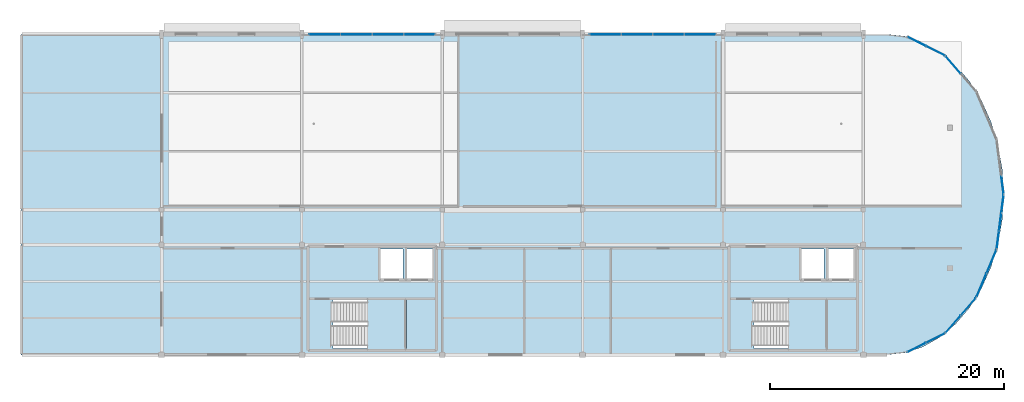
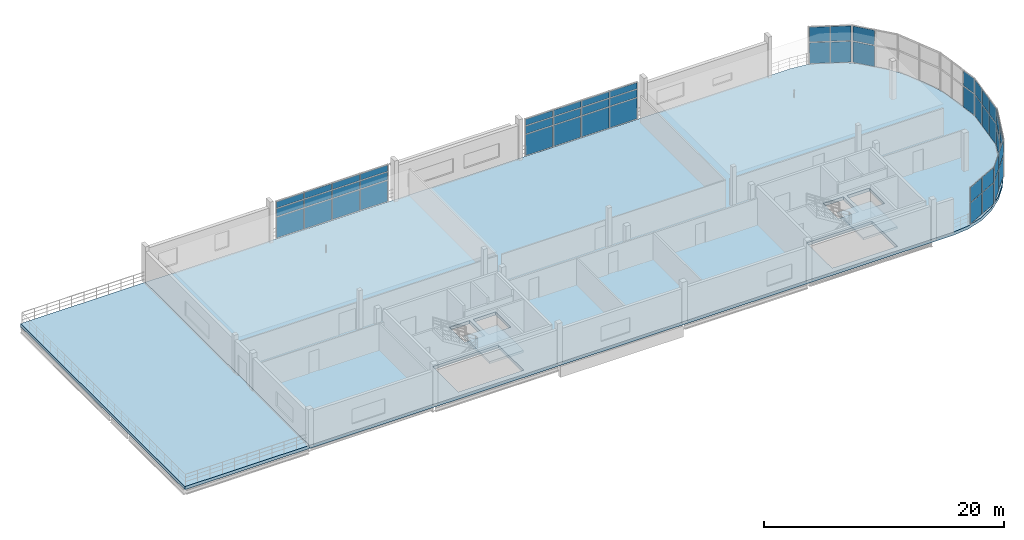
# One storey, part 6 of 13: 50 plates, 4 slabs, 11 elements without a shape of their own.
"""IFC4 building model written with IfcOpenShell, lengths in metres."""

from ifc_helpers import new_model, si_unit, direction, frame, origin, origin_2d, place, context, subcontext, project, spatial, polyline, rectangle, outline, extrude, material, layer, layer_set, type_object, element, aggregate, save


model = new_model("IFC4")

# Units and contexts
model_context = context("Model", 3, precision=1e-05, world=origin(), true_north=direction((0.0, 1.0)))
body_context = subcontext(model_context, "Body", "Model", "MODEL_VIEW")
ifc_project = project(units=[si_unit("LENGTHUNIT", "METRE"), si_unit("AREAUNIT", "SQUARE_METRE"), si_unit("VOLUMEUNIT", "CUBIC_METRE"), si_unit("PLANEANGLEUNIT", "RADIAN"), si_unit("MASSUNIT", "GRAM", prefix="KILO"), si_unit("THERMODYNAMICTEMPERATUREUNIT", "KELVIN"), si_unit("POWERUNIT", "WATT")], contexts=[model_context])

# Site, building, storey
site_placement = place(None, origin())
site = spatial("IfcSite", under=ifc_project, at=site_placement, CompositionType="ELEMENT")
building_placement = place(site_placement, origin())
building = spatial("IfcBuilding", under=site, at=building_placement, Name="Solmara Park Aquatics Centre", CompositionType="ELEMENT")
storey_placement = place(building_placement, frame((0.0, 0.0, 14.39990234375)))
storey = spatial("IfcBuildingStorey", under=building, at=storey_placement, Name="L03", CompositionType="ELEMENT", Elevation=14.39990234375)

# Curtain wall, plates
ifc_material_1 = material(Name="Anodised Aluminium Curtain Wall Framing", Category="aluminium")
curtain_wall_type_1 = type_object("IfcCurtainWallType", Name="ARC-CW-SYS06", PredefinedType="USERDEFINED", material=ifc_material_1)
curtain_wall_1_placement = place(storey_placement, origin())
curtain_wall_1 = element("IfcCurtainWall", 1, at=curtain_wall_1_placement, inside=storey, type_object=curtain_wall_type_1, Name="Curtain Wall CW-149", ObjectType="CURTAIN WALL", PredefinedType="USERDEFINED")
ifc_material_2 = material(Name="Acoustic Laminated Glazing", Category="glass")
ifc_layer_1 = layer(ifc_material_2, 0.028076171875, Name="Acoustic Laminated Glazing")
ifc_layer_set_1 = layer_set([ifc_layer_1], Name="Acoustic Laminated Glazing")
plate_type_1 = type_object("IfcPlateType", Name="ARC-CWP-GLZ28-1460x1500", PredefinedType="CURTAIN_PANEL", material=ifc_layer_set_1)
plate_1_placement = place(storey_placement, frame((108.098388671875, 118.40185546875, 2.27880859375), z_axis=(0.0, 0.0, 1.0), x_axis=(0.127658381355, 0.991818197892, 0.0)))
plate_1 = element("IfcPlate", 2, at=plate_1_placement, type_object=plate_type_1, Name="CW-149 panel 2", PredefinedType="CURTAIN_PANEL", context=body_context, shape_type="SweptSolid", body=[
    extrude(rectangle(XDim=1.468017578125, YDim=0.028076171875, at=origin_2d()), origin(), (0.0, 0.0, 1.0), 1.501220703125),
])
plate_2_placement = place(storey_placement, frame((108.2958984375, 119.9375, 2.27880859375), z_axis=(0.0, 0.0, 1.0), x_axis=(0.127658381355, 0.991818197892, 0.0)))
plate_2 = element("IfcPlate", 3, at=plate_2_placement, type_object=plate_type_1, Name="CW-149 panel 4", PredefinedType="CURTAIN_PANEL", context=body_context, shape_type="SweptSolid", body=[
    extrude(rectangle(XDim=1.468017578125, YDim=0.028076171875, at=origin_2d()), origin(), (0.0, 0.0, 1.0), 1.501220703125),
])
plate_3_placement = place(storey_placement, frame((108.493408203125, 121.47265625, 2.27880859375), z_axis=(0.0, 0.0, 1.0), x_axis=(0.127658381355, 0.991818197892, 0.0)))
plate_3 = element("IfcPlate", 4, at=plate_3_placement, type_object=plate_type_1, Name="CW-149 panel 6", PredefinedType="CURTAIN_PANEL", context=body_context, shape_type="SweptSolid", body=[
    extrude(rectangle(XDim=1.468017578125, YDim=0.028076171875, at=origin_2d()), origin(), (0.0, 0.0, 1.0), 1.501220703125),
])

# Curtain wall, plate
curtain_wall_2_placement = place(storey_placement, origin())
curtain_wall_2 = element("IfcCurtainWall", 5, at=curtain_wall_2_placement, inside=storey, type_object=curtain_wall_type_1, Name="Curtain Wall CW-150", ObjectType="CURTAIN WALL", PredefinedType="USERDEFINED")
plate_4_placement = place(storey_placement, frame((108.49853515625, 123.08740234375, 2.27880859375), z_axis=(0.0, 0.0, 1.0), x_axis=(-0.127658381355, 0.991818197892, 0.0)))
plate_4 = element("IfcPlate", 6, at=plate_4_placement, type_object=plate_type_1, Name="CW-150 panel 2", PredefinedType="CURTAIN_PANEL", context=body_context, shape_type="SweptSolid", body=[
    extrude(rectangle(XDim=1.468017578125, YDim=0.028076171875, at=origin_2d()), origin(), (0.0, 0.0, 1.0), 1.501220703125),
])

# Plate
ifc_layer_2 = layer(ifc_material_2, 0.028076171875, Name="Acoustic Laminated Glazing")
ifc_layer_set_2 = layer_set([ifc_layer_2], Name="Acoustic Laminated Glazing")
plate_type_2 = type_object("IfcPlateType", Name="ARC-CWP-GLZ28-1460x2120", PredefinedType="CURTAIN_PANEL", material=ifc_layer_set_2)
plate_5_placement = place(storey_placement, frame((108.098388671875, 118.40185546875, 0.080078125), z_axis=(0.0, 0.0, 1.0), x_axis=(0.127658381355, 0.991818197892, 0.0)))
plate_5 = element("IfcPlate", 7, at=plate_5_placement, type_object=plate_type_2, Name="CW-149 panel 1", PredefinedType="CURTAIN_PANEL", context=body_context, shape_type="SweptSolid", body=[
    extrude(rectangle(XDim=1.468017578125, YDim=0.028076171875, at=origin_2d()), origin(), (0.0, 0.0, 1.0), 2.118896484375),
])

plate_6_placement = place(storey_placement, frame((108.2958984375, 119.9375, 0.080078125), z_axis=(0.0, 0.0, 1.0), x_axis=(0.127658381355, 0.991818197892, 0.0)))
plate_6 = element("IfcPlate", 8, at=plate_6_placement, type_object=plate_type_2, Name="CW-149 panel 3", PredefinedType="CURTAIN_PANEL", context=body_context, shape_type="SweptSolid", body=[
    extrude(rectangle(XDim=1.468017578125, YDim=0.028076171875, at=origin_2d()), origin(), (0.0, 0.0, 1.0), 2.118896484375),
])

plate_7_placement = place(storey_placement, frame((108.493408203125, 121.47265625, 0.080078125), z_axis=(0.0, 0.0, 1.0), x_axis=(0.127658381355, 0.991818197892, 0.0)))
plate_7 = element("IfcPlate", 9, at=plate_7_placement, type_object=plate_type_2, Name="CW-149 panel 5", PredefinedType="CURTAIN_PANEL", context=body_context, shape_type="SweptSolid", body=[
    extrude(rectangle(XDim=1.468017578125, YDim=0.028076171875, at=origin_2d()), origin(), (0.0, 0.0, 1.0), 2.118896484375),
])

aggregate(curtain_wall_1, [plate_5, plate_1, plate_6, plate_2, plate_7, plate_3])

plate_8_placement = place(storey_placement, frame((108.49853515625, 123.08740234375, 0.080078125), z_axis=(0.0, 0.0, 1.0), x_axis=(-0.127658381355, 0.991818197892, 0.0)))
plate_8 = element("IfcPlate", 10, at=plate_8_placement, type_object=plate_type_2, Name="CW-150 panel 1", PredefinedType="CURTAIN_PANEL", context=body_context, shape_type="SweptSolid", body=[
    extrude(rectangle(XDim=1.468017578125, YDim=0.028076171875, at=origin_2d()), origin(), (0.0, 0.0, 1.0), 2.118896484375),
])

aggregate(curtain_wall_2, [plate_8, plate_4])

# Curtain wall, plates
curtain_wall_3_placement = place(storey_placement, origin())
curtain_wall_3 = element("IfcCurtainWall", 11, at=curtain_wall_3_placement, inside=storey, type_object=curtain_wall_type_1, Name="Curtain Wall CW-146", ObjectType="CURTAIN WALL", PredefinedType="USERDEFINED")
ifc_layer_3 = layer(ifc_material_2, 0.028076171875, Name="Acoustic Laminated Glazing")
ifc_layer_set_3 = layer_set([ifc_layer_3], Name="Acoustic Laminated Glazing")
plate_type_3 = type_object("IfcPlateType", Name="ARC-CWP-GLZ28-1700x1500", PredefinedType="CURTAIN_PANEL", material=ifc_layer_set_3)
plate_9_placement = place(storey_placement, frame((101.15234375, 109.215087890625, 2.27880859375), z_axis=(0.0, 0.0, 1.0), x_axis=(0.894903987807, 0.446258728326, 0.0)))
plate_9 = element("IfcPlate", 12, at=plate_9_placement, type_object=plate_type_3, Name="CW-146 panel 2", PredefinedType="CURTAIN_PANEL", context=body_context, shape_type="SweptSolid", body=[
    extrude(rectangle(XDim=1.703369140625, YDim=0.028076171875, at=origin_2d()), origin(), (0.0, 0.0, 1.0), 1.501220703125),
])
plate_10_placement = place(storey_placement, frame((102.748291015625, 110.0107421875, 2.27880859375), z_axis=(0.0, 0.0, 1.0), x_axis=(0.894903987807, 0.446258728326, 0.0)))
plate_10 = element("IfcPlate", 13, at=plate_10_placement, type_object=plate_type_3, Name="CW-146 panel 4", PredefinedType="CURTAIN_PANEL", context=body_context, shape_type="SweptSolid", body=[
    extrude(rectangle(XDim=1.703369140625, YDim=0.028076171875, at=origin_2d()), origin(), (0.0, 0.0, 1.0), 1.501220703125),
])

curtain_wall_4_placement = place(storey_placement, origin())
curtain_wall_4 = element("IfcCurtainWall", 14, at=curtain_wall_4_placement, inside=storey, type_object=curtain_wall_type_1, Name="Curtain Wall CW-153", ObjectType="CURTAIN WALL", PredefinedType="USERDEFINED")
plate_11_placement = place(storey_placement, frame((102.7841796875, 134.5712890625, 2.27880859375), z_axis=(0.0, 0.0, 1.0), x_axis=(-0.894903987807, 0.446258728326, 0.0)))
plate_11 = element("IfcPlate", 15, at=plate_11_placement, type_object=plate_type_3, Name="CW-153 panel 2", PredefinedType="CURTAIN_PANEL", context=body_context, shape_type="SweptSolid", body=[
    extrude(rectangle(XDim=1.703369140625, YDim=0.028076171875, at=origin_2d()), origin(), (0.0, 0.0, 1.0), 1.501220703125),
])
plate_12_placement = place(storey_placement, frame((101.188232421875, 135.3671875, 2.27880859375), z_axis=(0.0, 0.0, 1.0), x_axis=(-0.894903987807, 0.446258728326, 0.0)))
plate_12 = element("IfcPlate", 16, at=plate_12_placement, type_object=plate_type_3, Name="CW-153 panel 4", PredefinedType="CURTAIN_PANEL", context=body_context, shape_type="SweptSolid", body=[
    extrude(rectangle(XDim=1.703369140625, YDim=0.028076171875, at=origin_2d()), origin(), (0.0, 0.0, 1.0), 1.501220703125),
])

# Plate
ifc_layer_4 = layer(ifc_material_2, 0.028076171875, Name="Acoustic Laminated Glazing")
ifc_layer_set_4 = layer_set([ifc_layer_4], Name="Acoustic Laminated Glazing")
plate_type_4 = type_object("IfcPlateType", Name="ARC-CWP-GLZ28-1700x2120", PredefinedType="CURTAIN_PANEL", material=ifc_layer_set_4)
plate_13_placement = place(storey_placement, frame((101.15234375, 109.215087890625, 0.080078125), z_axis=(0.0, 0.0, 1.0), x_axis=(0.894903987807, 0.446258728326, 0.0)))
plate_13 = element("IfcPlate", 17, at=plate_13_placement, type_object=plate_type_4, Name="CW-146 panel 1", PredefinedType="CURTAIN_PANEL", context=body_context, shape_type="SweptSolid", body=[
    extrude(rectangle(XDim=1.703369140625, YDim=0.028076171875, at=origin_2d()), origin(), (0.0, 0.0, 1.0), 2.118896484375),
])

plate_14_placement = place(storey_placement, frame((102.748291015625, 110.0107421875, 0.080078125), z_axis=(0.0, 0.0, 1.0), x_axis=(0.894903987807, 0.446258728326, 0.0)))
plate_14 = element("IfcPlate", 18, at=plate_14_placement, type_object=plate_type_4, Name="CW-146 panel 3", PredefinedType="CURTAIN_PANEL", context=body_context, shape_type="SweptSolid", body=[
    extrude(rectangle(XDim=1.703369140625, YDim=0.028076171875, at=origin_2d()), origin(), (0.0, 0.0, 1.0), 2.118896484375),
])

aggregate(curtain_wall_3, [plate_13, plate_9, plate_14, plate_10])

plate_15_placement = place(storey_placement, frame((102.7841796875, 134.5712890625, 0.080078125), z_axis=(0.0, 0.0, 1.0), x_axis=(-0.894903987807, 0.446258728326, 0.0)))
plate_15 = element("IfcPlate", 19, at=plate_15_placement, type_object=plate_type_4, Name="CW-153 panel 1", PredefinedType="CURTAIN_PANEL", context=body_context, shape_type="SweptSolid", body=[
    extrude(rectangle(XDim=1.703369140625, YDim=0.028076171875, at=origin_2d()), origin(), (0.0, 0.0, 1.0), 2.118896484375),
])

plate_16_placement = place(storey_placement, frame((101.188232421875, 135.3671875, 0.080078125), z_axis=(0.0, 0.0, 1.0), x_axis=(-0.894903987807, 0.446258728326, 0.0)))
plate_16 = element("IfcPlate", 20, at=plate_16_placement, type_object=plate_type_4, Name="CW-153 panel 3", PredefinedType="CURTAIN_PANEL", context=body_context, shape_type="SweptSolid", body=[
    extrude(rectangle(XDim=1.703369140625, YDim=0.028076171875, at=origin_2d()), origin(), (0.0, 0.0, 1.0), 2.118896484375),
])

aggregate(curtain_wall_4, [plate_15, plate_11, plate_16, plate_12])

# Curtain wall, plates
curtain_wall_5_placement = place(storey_placement, origin())
curtain_wall_5 = element("IfcCurtainWall", 21, at=curtain_wall_5_placement, inside=storey, type_object=curtain_wall_type_1, Name="Curtain Wall CW-147", ObjectType="CURTAIN WALL", PredefinedType="USERDEFINED")
ifc_layer_5 = layer(ifc_material_2, 0.028076171875, Name="Acoustic Laminated Glazing")
ifc_layer_set_5 = layer_set([ifc_layer_5], Name="Acoustic Laminated Glazing")
plate_type_5 = type_object("IfcPlateType", Name="ARC-CWP-GLZ28-1900x1500", PredefinedType="CURTAIN_PANEL", material=ifc_layer_set_5)
plate_17_placement = place(storey_placement, frame((104.26513671875, 111.2001953125, 2.27880859375), z_axis=(0.0, 0.0, 1.0), x_axis=(0.656319798719, 0.754482817438, 0.0)))
plate_17 = element("IfcPlate", 22, at=plate_17_placement, type_object=plate_type_5, Name="CW-147 panel 2", PredefinedType="CURTAIN_PANEL", context=body_context, shape_type="SweptSolid", body=[
    extrude(rectangle(XDim=1.90673828125, YDim=0.028076171875, at=origin_2d()), origin(), (0.0, 0.0, 1.0), 1.501220703125),
])
plate_18_placement = place(storey_placement, frame((105.569091796875, 112.698974609375, 2.27880859375), z_axis=(0.0, 0.0, 1.0), x_axis=(0.656319798719, 0.754482817438, 0.0)))
plate_18 = element("IfcPlate", 23, at=plate_18_placement, type_object=plate_type_5, Name="CW-147 panel 4", PredefinedType="CURTAIN_PANEL", context=body_context, shape_type="SweptSolid", body=[
    extrude(rectangle(XDim=1.906982421875, YDim=0.028076171875, at=origin_2d()), origin(), (0.0, 0.0, 1.0), 1.501220703125),
])

# Curtain wall, plate
curtain_wall_6_placement = place(storey_placement, origin())
curtain_wall_6 = element("IfcCurtainWall", 24, at=curtain_wall_6_placement, inside=storey, type_object=curtain_wall_type_1, Name="Curtain Wall CW-152", ObjectType="CURTAIN WALL", PredefinedType="USERDEFINED")
plate_19_placement = place(storey_placement, frame((104.291259765625, 133.369873046875, 2.27880859375), z_axis=(0.0, 0.0, 1.0), x_axis=(-0.656319798719, 0.754482817438, 0.0)))
plate_19 = element("IfcPlate", 25, at=plate_19_placement, type_object=plate_type_5, Name="CW-152 panel 4", PredefinedType="CURTAIN_PANEL", context=body_context, shape_type="SweptSolid", body=[
    extrude(rectangle(XDim=1.906982421875, YDim=0.028076171875, at=origin_2d()), origin(), (0.0, 0.0, 1.0), 1.501220703125),
])

# Plate
ifc_layer_6 = layer(ifc_material_2, 0.028076171875, Name="Acoustic Laminated Glazing")
ifc_layer_set_6 = layer_set([ifc_layer_6], Name="Acoustic Laminated Glazing")
plate_type_6 = type_object("IfcPlateType", Name="ARC-CWP-GLZ28-1900x2120", PredefinedType="CURTAIN_PANEL", material=ifc_layer_set_6)
plate_20_placement = place(storey_placement, frame((104.26513671875, 111.2001953125, 0.080078125), z_axis=(0.0, 0.0, 1.0), x_axis=(0.656319798719, 0.754482817438, 0.0)))
plate_20 = element("IfcPlate", 26, at=plate_20_placement, type_object=plate_type_6, Name="CW-147 panel 1", PredefinedType="CURTAIN_PANEL", context=body_context, shape_type="SweptSolid", body=[
    extrude(rectangle(XDim=1.90673828125, YDim=0.028076171875, at=origin_2d()), origin(), (0.0, 0.0, 1.0), 2.118896484375),
])

plate_21_placement = place(storey_placement, frame((105.569091796875, 112.698974609375, 0.080078125), z_axis=(0.0, 0.0, 1.0), x_axis=(0.656319798719, 0.754482817438, 0.0)))
plate_21 = element("IfcPlate", 27, at=plate_21_placement, type_object=plate_type_6, Name="CW-147 panel 3", PredefinedType="CURTAIN_PANEL", context=body_context, shape_type="SweptSolid", body=[
    extrude(rectangle(XDim=1.906982421875, YDim=0.028076171875, at=origin_2d()), origin(), (0.0, 0.0, 1.0), 2.118896484375),
])

aggregate(curtain_wall_5, [plate_20, plate_17, plate_21, plate_18])

plate_22_placement = place(storey_placement, frame((104.291259765625, 133.369873046875, 0.080078125), z_axis=(0.0, 0.0, 1.0), x_axis=(-0.656319798719, 0.754482817438, 0.0)))
plate_22 = element("IfcPlate", 28, at=plate_22_placement, type_object=plate_type_6, Name="CW-152 panel 3", PredefinedType="CURTAIN_PANEL", context=body_context, shape_type="SweptSolid", body=[
    extrude(rectangle(XDim=1.906982421875, YDim=0.028076171875, at=origin_2d()), origin(), (0.0, 0.0, 1.0), 2.118896484375),
])

aggregate(curtain_wall_6, [plate_22, plate_19])

# Curtain wall, plates
curtain_wall_7_placement = place(storey_placement, origin())
curtain_wall_7 = element("IfcCurtainWall", 29, at=curtain_wall_7_placement, inside=storey, type_object=curtain_wall_type_1, Name="Curtain Wall CW-148", ObjectType="CURTAIN WALL", PredefinedType="USERDEFINED")
ifc_layer_7 = layer(ifc_material_2, 0.028076171875, Name="Acoustic Laminated Glazing")
ifc_layer_set_7 = layer_set([ifc_layer_7], Name="Acoustic Laminated Glazing")
plate_type_7 = type_object("IfcPlateType", Name="ARC-CWP-GLZ28-2120x1500", PredefinedType="CURTAIN_PANEL", material=ifc_layer_set_7)
plate_23_placement = place(storey_placement, frame((106.694580078125, 114.52392578125, 2.27880859375), z_axis=(0.0, 0.0, 1.0), x_axis=(0.388352083199, 0.921511073984, 0.0)))
plate_23 = element("IfcPlate", 30, at=plate_23_placement, type_object=plate_type_7, Name="CW-148 panel 2", PredefinedType="CURTAIN_PANEL", context=body_context, shape_type="SweptSolid", body=[
    extrude(rectangle(XDim=2.11572265625, YDim=0.028076171875, at=origin_2d()), origin(), (0.0, 0.0, 1.0), 1.501220703125),
])
plate_24_placement = place(storey_placement, frame((107.547119140625, 116.54736328125, 2.27880859375), z_axis=(0.0, 0.0, 1.0), x_axis=(0.388352083199, 0.921511073984, 0.0)))
plate_24 = element("IfcPlate", 31, at=plate_24_placement, type_object=plate_type_7, Name="CW-148 panel 4", PredefinedType="CURTAIN_PANEL", context=body_context, shape_type="SweptSolid", body=[
    extrude(rectangle(XDim=2.11572265625, YDim=0.028076171875, at=origin_2d()), origin(), (0.0, 0.0, 1.0), 1.501220703125),
])
ifc_layer_8 = layer(ifc_material_2, 0.028076171875, Name="Acoustic Laminated Glazing")
ifc_layer_set_8 = layer_set([ifc_layer_8], Name="Acoustic Laminated Glazing")
plate_type_8 = type_object("IfcPlateType", Name="ARC-CWP-GLZ28-2120x2120", PredefinedType="CURTAIN_PANEL", material=ifc_layer_set_8)
plate_25_placement = place(storey_placement, frame((106.694580078125, 114.52392578125, 0.080078125), z_axis=(0.0, 0.0, 1.0), x_axis=(0.388352083199, 0.921511073984, 0.0)))
plate_25 = element("IfcPlate", 32, at=plate_25_placement, type_object=plate_type_8, Name="CW-148 panel 1", PredefinedType="CURTAIN_PANEL", context=body_context, shape_type="SweptSolid", body=[
    extrude(rectangle(XDim=2.11572265625, YDim=0.028076171875, at=origin_2d()), origin(), (0.0, 0.0, 1.0), 2.118896484375),
])
plate_26_placement = place(storey_placement, frame((107.547119140625, 116.54736328125, 0.080078125), z_axis=(0.0, 0.0, 1.0), x_axis=(0.388352083199, 0.921511073984, 0.0)))
plate_26 = element("IfcPlate", 33, at=plate_26_placement, type_object=plate_type_8, Name="CW-148 panel 3", PredefinedType="CURTAIN_PANEL", context=body_context, shape_type="SweptSolid", body=[
    extrude(rectangle(XDim=2.11572265625, YDim=0.028076171875, at=origin_2d()), origin(), (0.0, 0.0, 1.0), 2.118896484375),
])
aggregate(curtain_wall_7, [plate_25, plate_23, plate_26, plate_24])

curtain_wall_type_2 = type_object("IfcCurtainWallType", Name="ARC-CW-SYS04", PredefinedType="USERDEFINED", material=ifc_material_1)
curtain_wall_8_placement = place(storey_placement, origin())
curtain_wall_8 = element("IfcCurtainWall", 34, at=curtain_wall_8_placement, inside=storey, type_object=curtain_wall_type_2, Name="Curtain Wall CW-130", ObjectType="CURTAIN WALL", PredefinedType="USERDEFINED")
ifc_material_3 = material(Name="Double Low-E Solar-Control Glazing", Category="glass")
ifc_layer_9 = layer(ifc_material_3, 0.035888671875, Name="Double Low-E Solar-Control Glazing")
ifc_layer_set_9 = layer_set([ifc_layer_9], Name="Double Low-E Solar-Control Glazing")
plate_type_9 = type_object("IfcPlateType", Name="ARC-CWP-GLZ36-2620x2120", PredefinedType="CURTAIN_PANEL", material=ifc_layer_set_9)
plate_27_placement = place(storey_placement, frame((50.530029296875, 136.0, 0.080078125), z_axis=(0.0, 0.0, 1.0), x_axis=(1.0, 0.0, 0.0)))
plate_27 = element("IfcPlate", 35, at=plate_27_placement, type_object=plate_type_9, Name="CW-130 panel 1", PredefinedType="CURTAIN_PANEL", context=body_context, shape_type="SweptSolid", body=[
    extrude(rectangle(XDim=2.6201171875, YDim=0.035888671875, at=origin_2d()), origin(), (0.0, 0.0, 1.0), 2.113037109375),
])
plate_28_placement = place(storey_placement, frame((53.22998046875, 136.0, 0.080078125), z_axis=(0.0, 0.0, 1.0), x_axis=(1.0, 0.0, 0.0)))
plate_28 = element("IfcPlate", 36, at=plate_28_placement, type_object=plate_type_9, Name="CW-130 panel 4", PredefinedType="CURTAIN_PANEL", context=body_context, shape_type="SweptSolid", body=[
    extrude(rectangle(XDim=2.6201171875, YDim=0.035888671875, at=origin_2d()), origin(), (0.0, 0.0, 1.0), 2.113037109375),
])
plate_29_placement = place(storey_placement, frame((55.929931640625, 136.0, 0.080078125), z_axis=(0.0, 0.0, 1.0), x_axis=(1.0, 0.0, 0.0)))
plate_29 = element("IfcPlate", 37, at=plate_29_placement, type_object=plate_type_9, Name="CW-130 panel 7", PredefinedType="CURTAIN_PANEL", context=body_context, shape_type="SweptSolid", body=[
    extrude(rectangle(XDim=2.6201171875, YDim=0.035888671875, at=origin_2d()), origin(), (0.0, 0.0, 1.0), 2.113037109375),
])
plate_30_placement = place(storey_placement, frame((58.6298828125, 136.0, 0.080078125), z_axis=(0.0, 0.0, 1.0), x_axis=(1.0, 0.0, 0.0)))
plate_30 = element("IfcPlate", 38, at=plate_30_placement, type_object=plate_type_9, Name="CW-130 panel 10", PredefinedType="CURTAIN_PANEL", context=body_context, shape_type="SweptSolid", body=[
    extrude(rectangle(XDim=2.6201171875, YDim=0.035888671875, at=origin_2d()), origin(), (0.0, 0.0, 1.0), 2.113037109375),
])

curtain_wall_9_placement = place(storey_placement, origin())
curtain_wall_9 = element("IfcCurtainWall", 39, at=curtain_wall_9_placement, inside=storey, type_object=curtain_wall_type_2, Name="Curtain Wall CW-131", ObjectType="CURTAIN WALL", PredefinedType="USERDEFINED")
plate_31_placement = place(storey_placement, frame((74.530029296875, 136.0, 0.080078125), z_axis=(0.0, 0.0, 1.0), x_axis=(1.0, 0.0, 0.0)))
plate_31 = element("IfcPlate", 40, at=plate_31_placement, type_object=plate_type_9, Name="CW-131 panel 1", PredefinedType="CURTAIN_PANEL", context=body_context, shape_type="SweptSolid", body=[
    extrude(rectangle(XDim=2.6201171875, YDim=0.035888671875, at=origin_2d()), origin(), (0.0, 0.0, 1.0), 2.113037109375),
])
plate_32_placement = place(storey_placement, frame((77.22998046875, 136.0, 0.080078125), z_axis=(0.0, 0.0, 1.0), x_axis=(1.0, 0.0, 0.0)))
plate_32 = element("IfcPlate", 41, at=plate_32_placement, type_object=plate_type_9, Name="CW-131 panel 4", PredefinedType="CURTAIN_PANEL", context=body_context, shape_type="SweptSolid", body=[
    extrude(rectangle(XDim=2.6201171875, YDim=0.035888671875, at=origin_2d()), origin(), (0.0, 0.0, 1.0), 2.113037109375),
])
plate_33_placement = place(storey_placement, frame((79.929931640625, 136.0, 0.080078125), z_axis=(0.0, 0.0, 1.0), x_axis=(1.0, 0.0, 0.0)))
plate_33 = element("IfcPlate", 42, at=plate_33_placement, type_object=plate_type_9, Name="CW-131 panel 7", PredefinedType="CURTAIN_PANEL", context=body_context, shape_type="SweptSolid", body=[
    extrude(rectangle(XDim=2.6201171875, YDim=0.035888671875, at=origin_2d()), origin(), (0.0, 0.0, 1.0), 2.113037109375),
])
plate_34_placement = place(storey_placement, frame((82.6298828125, 136.0, 0.080078125), z_axis=(0.0, 0.0, 1.0), x_axis=(1.0, 0.0, 0.0)))
plate_34 = element("IfcPlate", 43, at=plate_34_placement, type_object=plate_type_9, Name="CW-131 panel 10", PredefinedType="CURTAIN_PANEL", context=body_context, shape_type="SweptSolid", body=[
    extrude(rectangle(XDim=2.6201171875, YDim=0.035888671875, at=origin_2d()), origin(), (0.0, 0.0, 1.0), 2.113037109375),
])

# Plate
ifc_layer_10 = layer(ifc_material_3, 0.035888671875, Name="Double Low-E Solar-Control Glazing")
ifc_layer_set_10 = layer_set([ifc_layer_10], Name="Double Low-E Solar-Control Glazing")
plate_type_10 = type_object("IfcPlateType", Name="ARC-CWP-GLZ36-2620x780", PredefinedType="CURTAIN_PANEL", material=ifc_layer_set_10)
plate_35_placement = place(storey_placement, frame((50.530029296875, 136.0, 2.27294921875), z_axis=(0.0, 0.0, 1.0), x_axis=(1.0, 0.0, 0.0)))
plate_35 = element("IfcPlate", 44, at=plate_35_placement, type_object=plate_type_10, Name="CW-130 panel 2", PredefinedType="CURTAIN_PANEL", context=body_context, shape_type="SweptSolid", body=[
    extrude(rectangle(XDim=2.6201171875, YDim=0.035888671875, at=origin_2d()), origin(), (0.0, 0.0, 1.0), 0.787109375),
])

plate_36_placement = place(storey_placement, frame((53.22998046875, 136.0, 2.27294921875), z_axis=(0.0, 0.0, 1.0), x_axis=(1.0, 0.0, 0.0)))
plate_36 = element("IfcPlate", 45, at=plate_36_placement, type_object=plate_type_10, Name="CW-130 panel 5", PredefinedType="CURTAIN_PANEL", context=body_context, shape_type="SweptSolid", body=[
    extrude(rectangle(XDim=2.6201171875, YDim=0.035888671875, at=origin_2d()), origin(), (0.0, 0.0, 1.0), 0.787109375),
])

plate_37_placement = place(storey_placement, frame((55.929931640625, 136.0, 2.27294921875), z_axis=(0.0, 0.0, 1.0), x_axis=(1.0, 0.0, 0.0)))
plate_37 = element("IfcPlate", 46, at=plate_37_placement, type_object=plate_type_10, Name="CW-130 panel 8", PredefinedType="CURTAIN_PANEL", context=body_context, shape_type="SweptSolid", body=[
    extrude(rectangle(XDim=2.6201171875, YDim=0.035888671875, at=origin_2d()), origin(), (0.0, 0.0, 1.0), 0.787109375),
])

plate_38_placement = place(storey_placement, frame((58.6298828125, 136.0, 2.27294921875), z_axis=(0.0, 0.0, 1.0), x_axis=(1.0, 0.0, 0.0)))
plate_38 = element("IfcPlate", 47, at=plate_38_placement, type_object=plate_type_10, Name="CW-130 panel 11", PredefinedType="CURTAIN_PANEL", context=body_context, shape_type="SweptSolid", body=[
    extrude(rectangle(XDim=2.6201171875, YDim=0.035888671875, at=origin_2d()), origin(), (0.0, 0.0, 1.0), 0.787109375),
])

plate_39_placement = place(storey_placement, frame((74.530029296875, 136.0, 2.27294921875), z_axis=(0.0, 0.0, 1.0), x_axis=(1.0, 0.0, 0.0)))
plate_39 = element("IfcPlate", 48, at=plate_39_placement, type_object=plate_type_10, Name="CW-131 panel 2", PredefinedType="CURTAIN_PANEL", context=body_context, shape_type="SweptSolid", body=[
    extrude(rectangle(XDim=2.6201171875, YDim=0.035888671875, at=origin_2d()), origin(), (0.0, 0.0, 1.0), 0.787109375),
])

plate_40_placement = place(storey_placement, frame((77.22998046875, 136.0, 2.27294921875), z_axis=(0.0, 0.0, 1.0), x_axis=(1.0, 0.0, 0.0)))
plate_40 = element("IfcPlate", 49, at=plate_40_placement, type_object=plate_type_10, Name="CW-131 panel 5", PredefinedType="CURTAIN_PANEL", context=body_context, shape_type="SweptSolid", body=[
    extrude(rectangle(XDim=2.6201171875, YDim=0.035888671875, at=origin_2d()), origin(), (0.0, 0.0, 1.0), 0.787109375),
])

plate_41_placement = place(storey_placement, frame((79.929931640625, 136.0, 2.27294921875), z_axis=(0.0, 0.0, 1.0), x_axis=(1.0, 0.0, 0.0)))
plate_41 = element("IfcPlate", 50, at=plate_41_placement, type_object=plate_type_10, Name="CW-131 panel 8", PredefinedType="CURTAIN_PANEL", context=body_context, shape_type="SweptSolid", body=[
    extrude(rectangle(XDim=2.6201171875, YDim=0.035888671875, at=origin_2d()), origin(), (0.0, 0.0, 1.0), 0.787109375),
])

plate_42_placement = place(storey_placement, frame((82.6298828125, 136.0, 2.27294921875), z_axis=(0.0, 0.0, 1.0), x_axis=(1.0, 0.0, 0.0)))
plate_42 = element("IfcPlate", 51, at=plate_42_placement, type_object=plate_type_10, Name="CW-131 panel 11", PredefinedType="CURTAIN_PANEL", context=body_context, shape_type="SweptSolid", body=[
    extrude(rectangle(XDim=2.6201171875, YDim=0.035888671875, at=origin_2d()), origin(), (0.0, 0.0, 1.0), 0.787109375),
])

ifc_material_4 = material(Name="Insulated Anodised Aluminium Spandrel Panel", Category="aluminium")
ifc_layer_11 = layer(ifc_material_4, 0.0439453125, Name="Insulated Anodised Aluminium Spandrel Panel")
ifc_layer_set_11 = layer_set([ifc_layer_11], Name="Insulated Anodised Aluminium Spandrel Panel")
plate_type_11 = type_object("IfcPlateType", Name="ARC-CWP-SPN44-2620x640", PredefinedType="CURTAIN_PANEL", material=ifc_layer_set_11)
plate_43_placement = place(storey_placement, frame((50.530029296875, 136.0, 3.14013671875), z_axis=(0.0, 0.0, 1.0), x_axis=(1.0, 0.0, 0.0)))
plate_43 = element("IfcPlate", 52, at=plate_43_placement, type_object=plate_type_11, Name="CW-130 panel 3", PredefinedType="CURTAIN_PANEL", context=body_context, shape_type="SweptSolid", body=[
    extrude(rectangle(XDim=2.6201171875, YDim=0.0439453125, at=origin_2d()), origin(), (0.0, 0.0, 1.0), 0.6298828125),
])

plate_44_placement = place(storey_placement, frame((53.22998046875, 136.0, 3.14013671875), z_axis=(0.0, 0.0, 1.0), x_axis=(1.0, 0.0, 0.0)))
plate_44 = element("IfcPlate", 53, at=plate_44_placement, type_object=plate_type_11, Name="CW-130 panel 6", PredefinedType="CURTAIN_PANEL", context=body_context, shape_type="SweptSolid", body=[
    extrude(rectangle(XDim=2.6201171875, YDim=0.0439453125, at=origin_2d()), origin(), (0.0, 0.0, 1.0), 0.6298828125),
])

plate_45_placement = place(storey_placement, frame((55.929931640625, 136.0, 3.14013671875), z_axis=(0.0, 0.0, 1.0), x_axis=(1.0, 0.0, 0.0)))
plate_45 = element("IfcPlate", 54, at=plate_45_placement, type_object=plate_type_11, Name="CW-130 panel 9", PredefinedType="CURTAIN_PANEL", context=body_context, shape_type="SweptSolid", body=[
    extrude(rectangle(XDim=2.6201171875, YDim=0.0439453125, at=origin_2d()), origin(), (0.0, 0.0, 1.0), 0.6298828125),
])

plate_46_placement = place(storey_placement, frame((58.6298828125, 136.0, 3.14013671875), z_axis=(0.0, 0.0, 1.0), x_axis=(1.0, 0.0, 0.0)))
plate_46 = element("IfcPlate", 55, at=plate_46_placement, type_object=plate_type_11, Name="CW-130 panel 12", PredefinedType="CURTAIN_PANEL", context=body_context, shape_type="SweptSolid", body=[
    extrude(rectangle(XDim=2.6201171875, YDim=0.0439453125, at=origin_2d()), origin(), (0.0, 0.0, 1.0), 0.6298828125),
])

aggregate(curtain_wall_8, [plate_27, plate_35, plate_43, plate_28, plate_36, plate_44, plate_29, plate_37, plate_45, plate_30, plate_38, plate_46])

plate_47_placement = place(storey_placement, frame((74.530029296875, 136.0, 3.14013671875), z_axis=(0.0, 0.0, 1.0), x_axis=(1.0, 0.0, 0.0)))
plate_47 = element("IfcPlate", 56, at=plate_47_placement, type_object=plate_type_11, Name="CW-131 panel 3", PredefinedType="CURTAIN_PANEL", context=body_context, shape_type="SweptSolid", body=[
    extrude(rectangle(XDim=2.6201171875, YDim=0.0439453125, at=origin_2d()), origin(), (0.0, 0.0, 1.0), 0.6298828125),
])

plate_48_placement = place(storey_placement, frame((77.22998046875, 136.0, 3.14013671875), z_axis=(0.0, 0.0, 1.0), x_axis=(1.0, 0.0, 0.0)))
plate_48 = element("IfcPlate", 57, at=plate_48_placement, type_object=plate_type_11, Name="CW-131 panel 6", PredefinedType="CURTAIN_PANEL", context=body_context, shape_type="SweptSolid", body=[
    extrude(rectangle(XDim=2.6201171875, YDim=0.0439453125, at=origin_2d()), origin(), (0.0, 0.0, 1.0), 0.6298828125),
])

plate_49_placement = place(storey_placement, frame((79.929931640625, 136.0, 3.14013671875), z_axis=(0.0, 0.0, 1.0), x_axis=(1.0, 0.0, 0.0)))
plate_49 = element("IfcPlate", 58, at=plate_49_placement, type_object=plate_type_11, Name="CW-131 panel 9", PredefinedType="CURTAIN_PANEL", context=body_context, shape_type="SweptSolid", body=[
    extrude(rectangle(XDim=2.6201171875, YDim=0.0439453125, at=origin_2d()), origin(), (0.0, 0.0, 1.0), 0.6298828125),
])

plate_50_placement = place(storey_placement, frame((82.6298828125, 136.0, 3.14013671875), z_axis=(0.0, 0.0, 1.0), x_axis=(1.0, 0.0, 0.0)))
plate_50 = element("IfcPlate", 59, at=plate_50_placement, type_object=plate_type_11, Name="CW-131 panel 12", PredefinedType="CURTAIN_PANEL", context=body_context, shape_type="SweptSolid", body=[
    extrude(rectangle(XDim=2.6201171875, YDim=0.0439453125, at=origin_2d()), origin(), (0.0, 0.0, 1.0), 0.6298828125),
])

aggregate(curtain_wall_9, [plate_31, plate_39, plate_47, plate_32, plate_40, plate_48, plate_33, plate_41, plate_49, plate_34, plate_42, plate_50])

# Stair, slab
ifc_material_5 = material(Name="Concrete C40/50", Category="concrete")
stair_type = type_object("IfcStairType", Name="ARC-ST-CORE", PredefinedType="HALF_TURN_STAIR", material=ifc_material_5)
stair_1_placement = place(storey_placement, origin())
stair_1 = element("IfcStair", 60, at=stair_1_placement, inside=storey, type_object=stair_type, Name="ST-01 Protected Exit Stair (L03 to L04)", PredefinedType="HALF_TURN_STAIR")
ifc_layer_12 = layer(ifc_material_5, 0.219970703125, Name="Concrete C40/50")
ifc_layer_set_12 = layer_set([ifc_layer_12], Name="Concrete C40/50")
slab_type_1 = type_object("IfcSlabType", Name="ARC-SLB-LND220", PredefinedType="LANDING", material=ifc_layer_set_12)
slab_1_placement = place(storey_placement, frame((0.0, 0.0, 1.880126953125)))
slab_1 = element("IfcSlab", 61, at=slab_1_placement, type_object=slab_type_1, Name="ST-01 landing 1", PredefinedType="LANDING", context=body_context, shape_type="SweptSolid", body=[
    extrude(outline(polyline([(54.18994140625, 109.030029296875), (57.47998046875, 109.030029296875), (57.47998046875, 113.3701171875), (54.18994140625, 113.3701171875), (54.18994140625, 109.030029296875)])), origin(), (0.0, 0.0, 1.0), 0.219970703125),
])
aggregate(stair_1, [slab_1])

stair_2_placement = place(storey_placement, origin())
stair_2 = element("IfcStair", 62, at=stair_2_placement, inside=storey, type_object=stair_type, Name="ST-02 Protected Exit Stair (L03 to L04)", PredefinedType="HALF_TURN_STAIR")
slab_2_placement = place(storey_placement, frame((0.0, 0.0, 1.880126953125)))
slab_2 = element("IfcSlab", 63, at=slab_2_placement, type_object=slab_type_1, Name="ST-02 landing 1", PredefinedType="LANDING", context=body_context, shape_type="SweptSolid", body=[
    extrude(outline(polyline([(90.18994140625, 109.030029296875), (93.47998046875, 109.030029296875), (93.47998046875, 113.3701171875), (90.18994140625, 113.3701171875), (90.18994140625, 109.030029296875)])), origin(), (0.0, 0.0, 1.0), 0.219970703125),
])
aggregate(stair_2, [slab_2])

# Slabs
ifc_layer_13 = layer(ifc_material_5, 0.320068359375, Name="Concrete C40/50")
ifc_layer_set_13 = layer_set([ifc_layer_13], Name="Concrete C40/50")
slab_type_2 = type_object("IfcSlabType", Name="STR-SLB-GYM320", PredefinedType="FLOOR", material=ifc_layer_set_13)
slab_3_placement = place(storey_placement, frame((0.0, 0.0, -0.31982421875)))
element("IfcSlab", 64, at=slab_3_placement, inside=storey, type_object=slab_type_2, Name="Federation & Sports-Science L03 Floor Slab", PredefinedType="FLOOR", context=body_context, shape_type="SweptSolid", body=[
    extrude(outline(polyline([(36.60009765625, 108.60009765625), (98.60009765625, 108.60009765625), (100.164306640625, 108.768798828125), (101.690185546875, 109.2705078125), (103.139892578125, 110.09326171875), (104.477783203125, 111.216552734375), (105.671142578125, 112.612548828125), (106.690185546875, 114.247314453125), (107.510009765625, 116.080322265625), (108.110595703125, 118.06640625), (108.476806640625, 120.15673828125), (108.60009765625, 122.300048828125), (108.476806640625, 124.443115234375), (108.110595703125, 126.533447265625), (107.510009765625, 128.519775390625), (106.690185546875, 130.352783203125), (105.671142578125, 131.9873046875), (104.477783203125, 133.383544921875), (103.139892578125, 134.5068359375), (101.690185546875, 135.32958984375), (100.164306640625, 135.831298828125), (98.60009765625, 136.0), (36.60009765625, 136.0), (36.60009765625, 108.60009765625)]), holes=[polyline([(51.25, 109.1298828125), (57.550048828125, 109.1298828125), (57.550048828125, 113.3701171875), (51.25, 113.3701171875), (51.25, 109.1298828125)]), polyline([(57.60009765625, 115.10009765625), (59.75, 115.10009765625), (59.75, 117.64990234375), (57.60009765625, 117.64990234375), (57.60009765625, 115.10009765625)]), polyline([(55.300048828125, 115.10009765625), (57.25, 115.10009765625), (57.25, 117.64990234375), (55.300048828125, 117.64990234375), (55.300048828125, 115.10009765625)]), polyline([(87.25, 109.1298828125), (93.550048828125, 109.1298828125), (93.550048828125, 113.3701171875), (87.25, 113.3701171875), (87.25, 109.1298828125)]), polyline([(93.60009765625, 115.10009765625), (95.75, 115.10009765625), (95.75, 117.64990234375), (93.60009765625, 117.64990234375), (93.60009765625, 115.10009765625)]), polyline([(91.300048828125, 115.10009765625), (93.25, 115.10009765625), (93.25, 117.64990234375), (91.300048828125, 117.64990234375), (91.300048828125, 115.10009765625)])]), origin(), (0.0, 0.0, 1.0), 0.31982421875),
])
slab_4_placement = place(storey_placement, frame((0.0, 0.0, -0.31982421875)))
element("IfcSlab", 65, at=slab_4_placement, inside=storey, type_object=slab_type_2, Name="L03 West Park Belvedere Terrace Slab", PredefinedType="FLOOR", context=body_context, shape_type="SweptSolid", body=[
    extrude(outline(polyline([(24.60009765625, 108.60009765625), (36.60009765625, 108.60009765625), (36.60009765625, 136.0), (24.60009765625, 136.0), (24.60009765625, 108.60009765625)])), origin(), (0.0, 0.0, 1.0), 0.31982421875),
])

save(model, "model.ifc")
